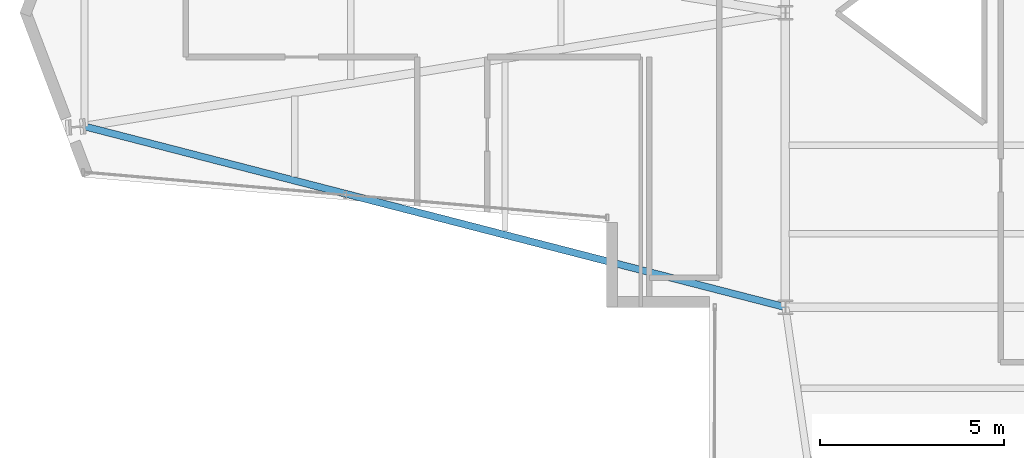
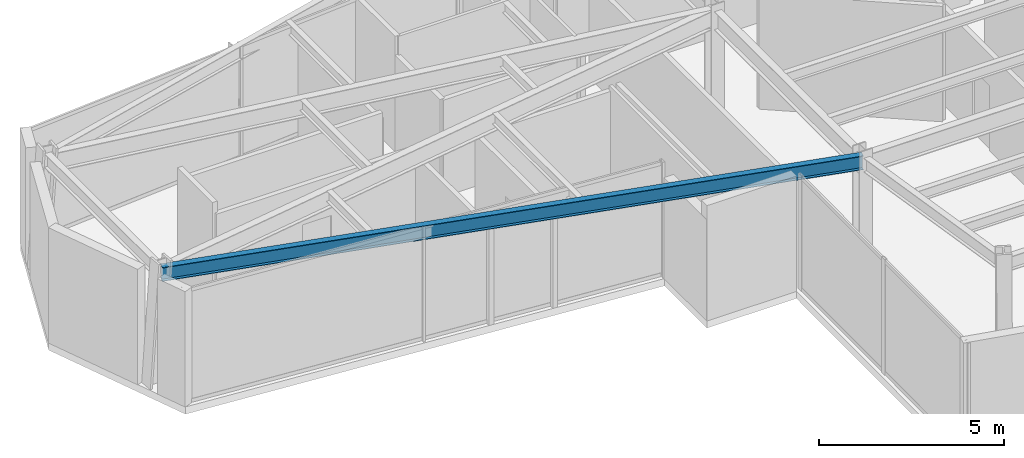
# One storey, part 3 of 23: 1 beam.
"""IFC4 building model written with IfcOpenShell, lengths in metres."""

from ifc_helpers import new_model, si_unit, direction, frame, origin, origin_2d, place, context, subcontext, project, spatial, i_section, extrude, material, material_profile, profile_set, type_object, element, save


model = new_model("IFC4")

# Units and contexts
model_context = context("Model", 3, precision=1e-05, world=origin(), true_north=direction((0.0, 1.0)))
body_context = subcontext(model_context, "Body", "Model", "MODEL_VIEW")
ifc_project = project(units=[si_unit("LENGTHUNIT", "METRE"), si_unit("AREAUNIT", "SQUARE_METRE"), si_unit("VOLUMEUNIT", "CUBIC_METRE"), si_unit("PLANEANGLEUNIT", "RADIAN"), si_unit("MASSUNIT", "GRAM", prefix="KILO")], contexts=[model_context])

# Site, building, storey
site_placement = place(None, origin())
site = spatial("IfcSite", under=ifc_project, at=site_placement, CompositionType="ELEMENT")
building_placement = place(site_placement, origin())
building = spatial("IfcBuilding", under=site, at=building_placement, Name="Veymaron Broadcast Tower", CompositionType="ELEMENT")
storey_placement = place(building_placement, frame((0.0, 0.0, 165.449951171875)))
storey = spatial("IfcBuildingStorey", under=building, at=storey_placement, Name="L38", CompositionType="ELEMENT", Elevation=165.449951171875)

# Beam
ifc_material = material(Name="Structural steel ASTM A992 Gr 50", Category="steel")
ifc_material_profile = material_profile(ifc_material, i_section(OverallWidth=0.19091796875, OverallDepth=0.4599609375, WebThickness=0.010009765625, FlangeThickness=0.01611328125, at=origin_2d()), Name="W460X82")
ifc_profile_set = profile_set([ifc_material_profile], Name="Structural steel ASTM A992 Gr 50")
beam_type = type_object("IfcBeamType", Name="BM-SP1", PredefinedType="SPANDREL", material=ifc_profile_set)
beam_placement = place(storey_placement, frame((12.14697265625, 20.9150390625, 3.580078125), z_axis=(0.968300173822, -0.249789458097, 0.0), x_axis=(0.249789458097, 0.968300173822, 0.0)))
element("IfcBeam", 1, at=beam_placement, inside=storey, type_object=beam_type, Name="L38 primary structural floor girder", PredefinedType="SPANDREL", context=body_context, shape_type="SweptSolid", body=[
    extrude(i_section(OverallWidth=0.19091796875, OverallDepth=0.4599609375, WebThickness=0.010009765625, FlangeThickness=0.01611328125, at=origin_2d()), origin(), (0.0, 0.0, 1.0), 19.6767578125),
])

save(model, "model.ifc")
